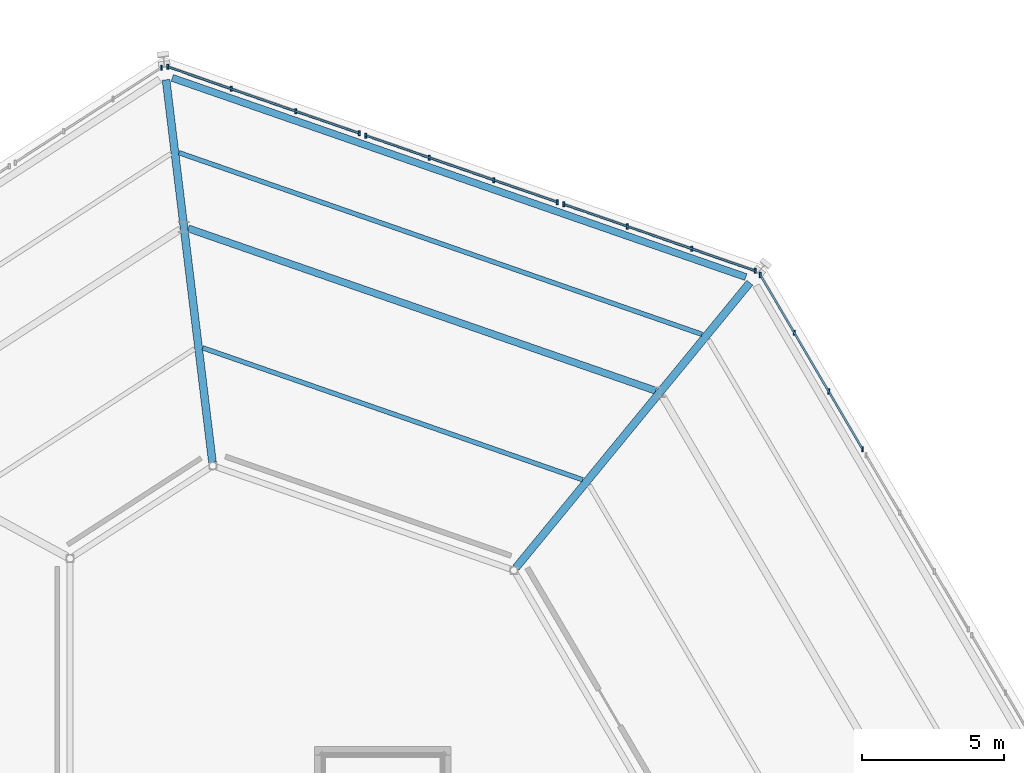
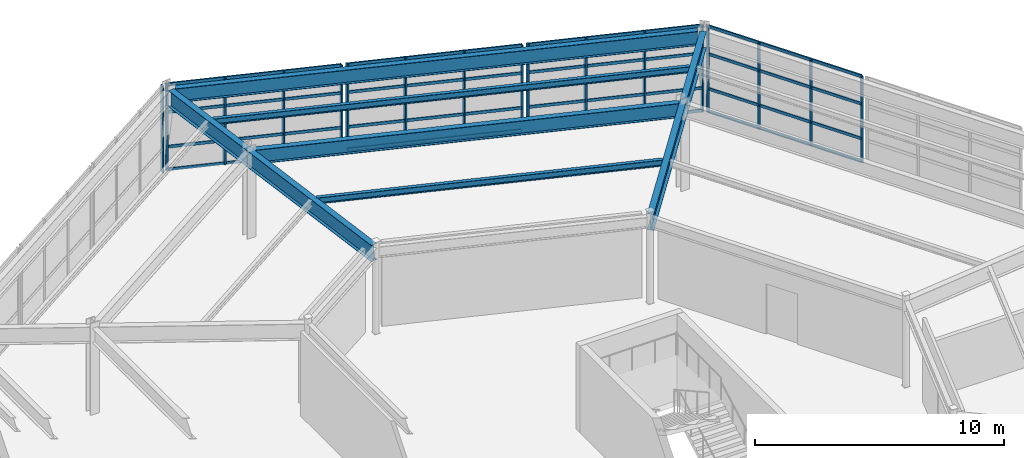
# One storey, part 48 of 88: 33 members, 6 beams, 5 elements without a shape of their own.
"""IFC4 building model written with IfcOpenShell, lengths in metres."""

from ifc_helpers import new_model, si_unit, direction, frame, origin, origin_2d, place, context, subcontext, project, spatial, rectangle, i_section, extrude, material, material_profile, profile_set, type_object, element, aggregate, save


model = new_model("IFC4")

# Units and contexts
model_context = context("Model", 3, precision=1e-05, world=origin(), true_north=direction((0.0, 1.0)))
body_context = subcontext(model_context, "Body", "Model", "MODEL_VIEW")
ifc_project = project(units=[si_unit("LENGTHUNIT", "METRE"), si_unit("AREAUNIT", "SQUARE_METRE"), si_unit("VOLUMEUNIT", "CUBIC_METRE"), si_unit("PLANEANGLEUNIT", "RADIAN"), si_unit("MASSUNIT", "GRAM", prefix="KILO")], contexts=[model_context])

# Site, building, storey
site_placement = place(None, origin())
site = spatial("IfcSite", under=ifc_project, at=site_placement, CompositionType="ELEMENT")
building_placement = place(site_placement, origin())
building = spatial("IfcBuilding", under=site, at=building_placement, Name="Sarnbrook Museum", CompositionType="ELEMENT")
storey_placement = place(building_placement, frame((0.0, 0.0, 10.10009765625)))
storey = spatial("IfcBuildingStorey", under=building, at=storey_placement, Name="L02", CompositionType="ELEMENT", Elevation=10.10009765625)

# Beams
ifc_material_1 = material(Name="Structural Steel Grade 350L0 (AS/NZS 3678, fy = 340 MPa for 20 < t <= 40 mm)", Category="steel")
ifc_material_profile_1 = material_profile(ifc_material_1, i_section(OverallWidth=0.25, OverallDepth=0.699951171875, WebThickness=0.010009765625, FlangeThickness=0.01611328125, at=origin_2d()), Name="700WB130")
ifc_profile_set_1 = profile_set([ifc_material_profile_1], Name="Structural Steel Grade 350L0 (AS/NZS 3678, fy = 340 MPa for 20 < t <= 40 mm)")
beam_type_1 = type_object("IfcBeamType", Name="BM-WB700", PredefinedType="BEAM", material=ifc_profile_set_1)
beam_1_placement = place(storey_placement, frame((156.562744140625, 106.705810546875, 3.889892578125), z_axis=(-0.944673615019, 0.328011830712, 0.0), x_axis=(-0.328011830712, -0.944673615019, 0.0)))
element("IfcBeam", 1, at=beam_1_placement, inside=storey, type_object=beam_type_1, Name="Crystal Hall Perimeter Ring Girder 5 L02", PredefinedType="BEAM", context=body_context, shape_type="SweptSolid", body=[
    extrude(i_section(OverallWidth=0.25, OverallDepth=0.699951171875, WebThickness=0.010009765625, FlangeThickness=0.01611328125, at=origin_2d()), origin(), (0.0, 0.0, 1.0), 21.348876953125),
])
beam_2_placement = place(storey_placement, frame((153.392578125, 102.70947265625, 3.889892578125), z_axis=(-0.944672698081, 0.328014471479, 0.0), x_axis=(-0.328014471479, -0.944672698081, 0.0)))
element("IfcBeam", 2, at=beam_2_placement, inside=storey, type_object=beam_type_1, Name="Crystal Hall R1 Ring Girder 5 L02", PredefinedType="BEAM", context=body_context, shape_type="SweptSolid", body=[
    extrude(i_section(OverallWidth=0.25, OverallDepth=0.699951171875, WebThickness=0.010009765625, FlangeThickness=0.01611328125, at=origin_2d()), origin(), (0.0, 0.0, 1.0), 17.400146484375),
])
ifc_material_profile_2 = material_profile(ifc_material_1, i_section(OverallWidth=0.27490234375, OverallDepth=0.800048828125, WebThickness=0.010009765625, FlangeThickness=0.01611328125, at=origin_2d()), Name="800WB146")
ifc_profile_set_2 = profile_set([ifc_material_profile_2], Name="Structural Steel Grade 350L0 (AS/NZS 3678, fy = 340 MPa for 20 < t <= 40 mm)")
beam_type_2 = type_object("IfcBeamType", Name="CR-CANT", PredefinedType="BEAM", material=ifc_profile_set_2)
beam_3_placement = place(storey_placement, frame((148.481689453125, 96.48876953125, 3.83984375), z_axis=(0.634370589534, 0.773029077807, 0.0), x_axis=(-0.773029077807, 0.634370589534, 0.0)))
element("IfcBeam", 3, at=beam_3_placement, inside=storey, type_object=beam_type_2, Name="Crystal Hall Radial Cantilever Girder 5 L02", PredefinedType="BEAM", context=body_context, shape_type="SweptSolid", body=[
    extrude(i_section(OverallWidth=0.27490234375, OverallDepth=0.800048828125, WebThickness=0.010009765625, FlangeThickness=0.01611328125, at=origin_2d()), origin(), (0.0, 0.0, 1.0), 12.960693359375),
])
beam_4_placement = place(storey_placement, frame((137.80810546875, 100.189697265625, 3.83984375), z_axis=(-0.120372798782, 0.992728759185, 0.0), x_axis=(-0.992728759185, -0.120372798782, 0.0)))
element("IfcBeam", 4, at=beam_4_placement, inside=storey, type_object=beam_type_2, Name="Crystal Hall Radial Cantilever Girder 6 L02", PredefinedType="BEAM", context=body_context, shape_type="SweptSolid", body=[
    extrude(i_section(OverallWidth=0.27490234375, OverallDepth=0.800048828125, WebThickness=0.010009765625, FlangeThickness=0.01611328125, at=origin_2d()), origin(), (0.0, 0.0, 1.0), 13.550537109375),
])

# Curtain wall, members
ifc_material_2 = material(Name="Thermally Broken Anodised Aluminium 6063-T6", Category="aluminium")
curtain_wall_type = type_object("IfcCurtainWallType", Name="CurtainWall_CrystalFacet", PredefinedType="NOTDEFINED", material=ifc_material_2)
curtain_wall_1_placement = place(storey_placement, origin())
curtain_wall_1 = element("IfcCurtainWall", 5, at=curtain_wall_1_placement, inside=storey, type_object=curtain_wall_type, Name="Crystal Hall Facet Curtain Wall L02-F4.3", PredefinedType="NOTDEFINED")
ifc_material_profile_3 = material_profile(ifc_material_2, rectangle(XDim=0.06494140625, YDim=0.179931640625, at=origin_2d()), Name="ALU MULLION 65x180")
ifc_profile_set_3 = profile_set([ifc_material_profile_3], Name="Thermally Broken Anodised Aluminium 6063-T6")
member_type_1 = type_object("IfcMemberType", Name="CW_Mullion_180x75", PredefinedType="MULLION", material=ifc_profile_set_3)
member_1_placement = place(storey_placement, frame((160.665283203125, 100.6533203125, 0.0), z_axis=(0.0, 0.0, 1.0), x_axis=(1.0, 0.0, 0.0)))
member_1 = element("IfcMember", 6, at=member_1_placement, type_object=member_type_1, Name="Crystal Hall Facet Curtain Wall L02-F4.3 Mullion 1", PredefinedType="MULLION", context=body_context, shape_type="SweptSolid", body=[
    extrude(rectangle(XDim=0.06494140625, YDim=0.179931640625, at=origin_2d()), origin(), (0.0, 0.0, 1.0), 4.239990234375),
])
member_2_placement = place(storey_placement, frame((159.47412109375, 102.68359375, 0.0), z_axis=(0.0, 0.0, 1.0), x_axis=(1.0, 0.0, 0.0)))
member_2 = element("IfcMember", 7, at=member_2_placement, type_object=member_type_1, Name="Crystal Hall Facet Curtain Wall L02-F4.3 Mullion 2", PredefinedType="MULLION", context=body_context, shape_type="SweptSolid", body=[
    extrude(rectangle(XDim=0.06494140625, YDim=0.179931640625, at=origin_2d()), origin(), (0.0, 0.0, 1.0), 4.239990234375),
])
member_3_placement = place(storey_placement, frame((158.2626953125, 104.748291015625, 0.0), z_axis=(0.0, 0.0, 1.0), x_axis=(1.0, 0.0, 0.0)))
member_3 = element("IfcMember", 8, at=member_3_placement, type_object=member_type_1, Name="Crystal Hall Facet Curtain Wall L02-F4.3 Mullion 3", PredefinedType="MULLION", context=body_context, shape_type="SweptSolid", body=[
    extrude(rectangle(XDim=0.06494140625, YDim=0.179931640625, at=origin_2d()), origin(), (0.0, 0.0, 1.0), 4.239990234375),
])
member_4_placement = place(storey_placement, frame((157.071533203125, 106.778564453125, 0.0), z_axis=(0.0, 0.0, 1.0), x_axis=(1.0, 0.0, 0.0)))
member_4 = element("IfcMember", 9, at=member_4_placement, type_object=member_type_1, Name="Crystal Hall Facet Curtain Wall L02-F4.3 Mullion 4", PredefinedType="MULLION", context=body_context, shape_type="SweptSolid", body=[
    extrude(rectangle(XDim=0.06494140625, YDim=0.179931640625, at=origin_2d()), origin(), (0.0, 0.0, 1.0), 4.239990234375),
])

curtain_wall_2_placement = place(storey_placement, origin())
curtain_wall_2 = element("IfcCurtainWall", 10, at=curtain_wall_2_placement, inside=storey, type_object=curtain_wall_type, Name="Crystal Hall Facet Curtain Wall L02-F5.1", PredefinedType="NOTDEFINED")
member_5_placement = place(storey_placement, frame((156.8974609375, 106.92138671875, 0.0), z_axis=(0.0, 0.0, 1.0), x_axis=(1.0, 0.0, 0.0)))
member_5 = element("IfcMember", 11, at=member_5_placement, type_object=member_type_1, Name="Crystal Hall Facet Curtain Wall L02-F5.1 Mullion 1", PredefinedType="MULLION", context=body_context, shape_type="SweptSolid", body=[
    extrude(rectangle(XDim=0.06494140625, YDim=0.179931640625, at=origin_2d()), origin(), (0.0, 0.0, 1.0), 4.239990234375),
])
member_6_placement = place(storey_placement, frame((154.6640625, 107.69677734375, 0.0), z_axis=(0.0, 0.0, 1.0), x_axis=(1.0, 0.0, 0.0)))
member_6 = element("IfcMember", 12, at=member_6_placement, type_object=member_type_1, Name="Crystal Hall Facet Curtain Wall L02-F5.1 Mullion 2", PredefinedType="MULLION", context=body_context, shape_type="SweptSolid", body=[
    extrude(rectangle(XDim=0.06494140625, YDim=0.179931640625, at=origin_2d()), origin(), (0.0, 0.0, 1.0), 4.239990234375),
])
member_7_placement = place(storey_placement, frame((152.392822265625, 108.485595703125, 0.0), z_axis=(0.0, 0.0, 1.0), x_axis=(1.0, 0.0, 0.0)))
member_7 = element("IfcMember", 13, at=member_7_placement, type_object=member_type_1, Name="Crystal Hall Facet Curtain Wall L02-F5.1 Mullion 3", PredefinedType="MULLION", context=body_context, shape_type="SweptSolid", body=[
    extrude(rectangle(XDim=0.06494140625, YDim=0.179931640625, at=origin_2d()), origin(), (0.0, 0.0, 1.0), 4.239990234375),
])
member_8_placement = place(storey_placement, frame((150.159423828125, 109.260986328125, 0.0), z_axis=(0.0, 0.0, 1.0), x_axis=(1.0, 0.0, 0.0)))
member_8 = element("IfcMember", 14, at=member_8_placement, type_object=member_type_1, Name="Crystal Hall Facet Curtain Wall L02-F5.1 Mullion 4", PredefinedType="MULLION", context=body_context, shape_type="SweptSolid", body=[
    extrude(rectangle(XDim=0.06494140625, YDim=0.179931640625, at=origin_2d()), origin(), (0.0, 0.0, 1.0), 4.239990234375),
])

curtain_wall_3_placement = place(storey_placement, origin())
curtain_wall_3 = element("IfcCurtainWall", 15, at=curtain_wall_3_placement, inside=storey, type_object=curtain_wall_type, Name="Crystal Hall Facet Curtain Wall L02-F5.2", PredefinedType="NOTDEFINED")
member_9_placement = place(storey_placement, frame((149.932861328125, 109.339599609375, 0.0), z_axis=(0.0, 0.0, 1.0), x_axis=(1.0, 0.0, 0.0)))
member_9 = element("IfcMember", 16, at=member_9_placement, type_object=member_type_1, Name="Crystal Hall Facet Curtain Wall L02-F5.2 Mullion 1", PredefinedType="MULLION", context=body_context, shape_type="SweptSolid", body=[
    extrude(rectangle(XDim=0.06494140625, YDim=0.179931640625, at=origin_2d()), origin(), (0.0, 0.0, 1.0), 4.239990234375),
])
member_10_placement = place(storey_placement, frame((147.699462890625, 110.114990234375, 0.0), z_axis=(0.0, 0.0, 1.0), x_axis=(1.0, 0.0, 0.0)))
member_10 = element("IfcMember", 17, at=member_10_placement, type_object=member_type_1, Name="Crystal Hall Facet Curtain Wall L02-F5.2 Mullion 2", PredefinedType="MULLION", context=body_context, shape_type="SweptSolid", body=[
    extrude(rectangle(XDim=0.06494140625, YDim=0.179931640625, at=origin_2d()), origin(), (0.0, 0.0, 1.0), 4.239990234375),
])
member_11_placement = place(storey_placement, frame((145.42822265625, 110.90380859375, 0.0), z_axis=(0.0, 0.0, 1.0), x_axis=(1.0, 0.0, 0.0)))
member_11 = element("IfcMember", 18, at=member_11_placement, type_object=member_type_1, Name="Crystal Hall Facet Curtain Wall L02-F5.2 Mullion 3", PredefinedType="MULLION", context=body_context, shape_type="SweptSolid", body=[
    extrude(rectangle(XDim=0.06494140625, YDim=0.179931640625, at=origin_2d()), origin(), (0.0, 0.0, 1.0), 4.239990234375),
])
member_12_placement = place(storey_placement, frame((143.19482421875, 111.67919921875, 0.0), z_axis=(0.0, 0.0, 1.0), x_axis=(1.0, 0.0, 0.0)))
member_12 = element("IfcMember", 19, at=member_12_placement, type_object=member_type_1, Name="Crystal Hall Facet Curtain Wall L02-F5.2 Mullion 4", PredefinedType="MULLION", context=body_context, shape_type="SweptSolid", body=[
    extrude(rectangle(XDim=0.06494140625, YDim=0.179931640625, at=origin_2d()), origin(), (0.0, 0.0, 1.0), 4.239990234375),
])

curtain_wall_4_placement = place(storey_placement, origin())
curtain_wall_4 = element("IfcCurtainWall", 20, at=curtain_wall_4_placement, inside=storey, type_object=curtain_wall_type, Name="Crystal Hall Facet Curtain Wall L02-F5.3", PredefinedType="NOTDEFINED")
member_13_placement = place(storey_placement, frame((142.968017578125, 111.758056640625, 0.0), z_axis=(0.0, 0.0, 1.0), x_axis=(1.0, 0.0, 0.0)))
member_13 = element("IfcMember", 21, at=member_13_placement, type_object=member_type_1, Name="Crystal Hall Facet Curtain Wall L02-F5.3 Mullion 1", PredefinedType="MULLION", context=body_context, shape_type="SweptSolid", body=[
    extrude(rectangle(XDim=0.06494140625, YDim=0.179931640625, at=origin_2d()), origin(), (0.0, 0.0, 1.0), 4.239990234375),
])
member_14_placement = place(storey_placement, frame((140.734619140625, 112.533447265625, 0.0), z_axis=(0.0, 0.0, 1.0), x_axis=(1.0, 0.0, 0.0)))
member_14 = element("IfcMember", 22, at=member_14_placement, type_object=member_type_1, Name="Crystal Hall Facet Curtain Wall L02-F5.3 Mullion 2", PredefinedType="MULLION", context=body_context, shape_type="SweptSolid", body=[
    extrude(rectangle(XDim=0.06494140625, YDim=0.179931640625, at=origin_2d()), origin(), (0.0, 0.0, 1.0), 4.239990234375),
])
member_15_placement = place(storey_placement, frame((138.46337890625, 113.322021484375, 0.0), z_axis=(0.0, 0.0, 1.0), x_axis=(1.0, 0.0, 0.0)))
member_15 = element("IfcMember", 23, at=member_15_placement, type_object=member_type_1, Name="Crystal Hall Facet Curtain Wall L02-F5.3 Mullion 3", PredefinedType="MULLION", context=body_context, shape_type="SweptSolid", body=[
    extrude(rectangle(XDim=0.06494140625, YDim=0.179931640625, at=origin_2d()), origin(), (0.0, 0.0, 1.0), 4.239990234375),
])
member_16_placement = place(storey_placement, frame((136.230224609375, 114.097412109375, 0.0), z_axis=(0.0, 0.0, 1.0), x_axis=(1.0, 0.0, 0.0)))
member_16 = element("IfcMember", 24, at=member_16_placement, type_object=member_type_1, Name="Crystal Hall Facet Curtain Wall L02-F5.3 Mullion 4", PredefinedType="MULLION", context=body_context, shape_type="SweptSolid", body=[
    extrude(rectangle(XDim=0.06494140625, YDim=0.179931640625, at=origin_2d()), origin(), (0.0, 0.0, 1.0), 4.239990234375),
])

# Curtain wall, member
curtain_wall_5_placement = place(storey_placement, origin())
curtain_wall_5 = element("IfcCurtainWall", 25, at=curtain_wall_5_placement, inside=storey, type_object=curtain_wall_type, Name="Crystal Hall Facet Curtain Wall L02-F6.1", PredefinedType="NOTDEFINED")
member_17_placement = place(storey_placement, frame((136.01611328125, 114.071533203125, 0.0), z_axis=(0.0, 0.0, 1.0), x_axis=(1.0, 0.0, 0.0)))
member_17 = element("IfcMember", 26, at=member_17_placement, type_object=member_type_1, Name="Crystal Hall Facet Curtain Wall L02-F6.1 Mullion 1", PredefinedType="MULLION", context=body_context, shape_type="SweptSolid", body=[
    extrude(rectangle(XDim=0.06494140625, YDim=0.179931640625, at=origin_2d()), origin(), (0.0, 0.0, 1.0), 4.239990234375),
])
aggregate(curtain_wall_5, [member_17])

# Member
ifc_material_profile_4 = material_profile(ifc_material_2, rectangle(XDim=0.06494140625, YDim=0.139892578125, at=origin_2d()), Name="ALU TRANSOM 65x140")
ifc_profile_set_4 = profile_set([ifc_material_profile_4], Name="Thermally Broken Anodised Aluminium 6063-T6")
member_type_2 = type_object("IfcMemberType", Name="CW_Transom_150x65", PredefinedType="USERDEFINED", material=ifc_profile_set_4)
member_18_placement = place(storey_placement, frame((160.660400390625, 100.661865234375, 0.039794921875), z_axis=(-0.506045045467, 0.862507050382, 0.0), x_axis=(-0.862507050382, -0.506045045467, 0.0)))
member_18 = element("IfcMember", 27, at=member_18_placement, type_object=member_type_2, Name="Crystal Hall Facet Curtain Wall L02-F4.3 Transom 1", ObjectType="TRANSOM", PredefinedType="USERDEFINED", context=body_context, shape_type="SweptSolid", body=[
    extrude(rectangle(XDim=0.06494140625, YDim=0.139892578125, at=origin_2d()), origin(), (0.0, 0.0, 1.0), 7.081787109375),
])

member_19_placement = place(storey_placement, frame((160.660400390625, 100.661865234375, 1.14990234375), z_axis=(-0.506045045467, 0.862507050382, 0.0), x_axis=(-0.862507050382, -0.506045045467, 0.0)))
member_19 = element("IfcMember", 28, at=member_19_placement, type_object=member_type_2, Name="Crystal Hall Facet Curtain Wall L02-F4.3 Transom 2", ObjectType="TRANSOM", PredefinedType="USERDEFINED", context=body_context, shape_type="SweptSolid", body=[
    extrude(rectangle(XDim=0.06494140625, YDim=0.139892578125, at=origin_2d()), origin(), (0.0, 0.0, 1.0), 7.081787109375),
])

member_20_placement = place(storey_placement, frame((160.660400390625, 100.661865234375, 2.849853515625), z_axis=(-0.506045045467, 0.862507050382, 0.0), x_axis=(-0.862507050382, -0.506045045467, 0.0)))
member_20 = element("IfcMember", 29, at=member_20_placement, type_object=member_type_2, Name="Crystal Hall Facet Curtain Wall L02-F4.3 Transom 3", ObjectType="TRANSOM", PredefinedType="USERDEFINED", context=body_context, shape_type="SweptSolid", body=[
    extrude(rectangle(XDim=0.06494140625, YDim=0.139892578125, at=origin_2d()), origin(), (0.0, 0.0, 1.0), 7.081787109375),
])

member_21_placement = place(storey_placement, frame((160.660400390625, 100.661865234375, 4.199951171875), z_axis=(-0.506045045467, 0.862507050382, 0.0), x_axis=(-0.862507050382, -0.506045045467, 0.0)))
member_21 = element("IfcMember", 30, at=member_21_placement, type_object=member_type_2, Name="Crystal Hall Facet Curtain Wall L02-F4.3 Transom 4", ObjectType="TRANSOM", PredefinedType="USERDEFINED", context=body_context, shape_type="SweptSolid", body=[
    extrude(rectangle(XDim=0.06494140625, YDim=0.139892578125, at=origin_2d()), origin(), (0.0, 0.0, 1.0), 7.081787109375),
])

aggregate(curtain_wall_1, [member_1, member_2, member_3, member_4, member_18, member_19, member_20, member_21])

member_22_placement = place(storey_placement, frame((156.887939453125, 106.924560546875, 0.039794921875), z_axis=(-0.944661993446, 0.328045298912, 0.0), x_axis=(-0.328045298912, -0.944661993446, 0.0)))
member_22 = element("IfcMember", 31, at=member_22_placement, type_object=member_type_2, Name="Crystal Hall Facet Curtain Wall L02-F5.1 Transom 1", ObjectType="TRANSOM", PredefinedType="USERDEFINED", context=body_context, shape_type="SweptSolid", body=[
    extrude(rectangle(XDim=0.06494140625, YDim=0.139892578125, at=origin_2d()), origin(), (0.0, 0.0, 1.0), 7.112548828125),
])

member_23_placement = place(storey_placement, frame((156.887939453125, 106.924560546875, 1.14990234375), z_axis=(-0.944661993446, 0.328045298912, 0.0), x_axis=(-0.328045298912, -0.944661993446, 0.0)))
member_23 = element("IfcMember", 32, at=member_23_placement, type_object=member_type_2, Name="Crystal Hall Facet Curtain Wall L02-F5.1 Transom 2", ObjectType="TRANSOM", PredefinedType="USERDEFINED", context=body_context, shape_type="SweptSolid", body=[
    extrude(rectangle(XDim=0.06494140625, YDim=0.139892578125, at=origin_2d()), origin(), (0.0, 0.0, 1.0), 7.112548828125),
])

member_24_placement = place(storey_placement, frame((156.887939453125, 106.924560546875, 2.849853515625), z_axis=(-0.944661993446, 0.328045298912, 0.0), x_axis=(-0.328045298912, -0.944661993446, 0.0)))
member_24 = element("IfcMember", 33, at=member_24_placement, type_object=member_type_2, Name="Crystal Hall Facet Curtain Wall L02-F5.1 Transom 3", ObjectType="TRANSOM", PredefinedType="USERDEFINED", context=body_context, shape_type="SweptSolid", body=[
    extrude(rectangle(XDim=0.06494140625, YDim=0.139892578125, at=origin_2d()), origin(), (0.0, 0.0, 1.0), 7.112548828125),
])

member_25_placement = place(storey_placement, frame((156.887939453125, 106.924560546875, 4.199951171875), z_axis=(-0.944661993446, 0.328045298912, 0.0), x_axis=(-0.328045298912, -0.944661993446, 0.0)))
member_25 = element("IfcMember", 34, at=member_25_placement, type_object=member_type_2, Name="Crystal Hall Facet Curtain Wall L02-F5.1 Transom 4", ObjectType="TRANSOM", PredefinedType="USERDEFINED", context=body_context, shape_type="SweptSolid", body=[
    extrude(rectangle(XDim=0.06494140625, YDim=0.139892578125, at=origin_2d()), origin(), (0.0, 0.0, 1.0), 7.112548828125),
])

aggregate(curtain_wall_2, [member_5, member_6, member_7, member_8, member_22, member_23, member_24, member_25])

member_26_placement = place(storey_placement, frame((149.92333984375, 109.343017578125, 0.039794921875), z_axis=(-0.944672630151, 0.328014667117, 0.0), x_axis=(-0.328014667117, -0.944672630151, 0.0)))
member_26 = element("IfcMember", 35, at=member_26_placement, type_object=member_type_2, Name="Crystal Hall Facet Curtain Wall L02-F5.2 Transom 1", ObjectType="TRANSOM", PredefinedType="USERDEFINED", context=body_context, shape_type="SweptSolid", body=[
    extrude(rectangle(XDim=0.06494140625, YDim=0.139892578125, at=origin_2d()), origin(), (0.0, 0.0, 1.0), 7.112548828125),
])

member_27_placement = place(storey_placement, frame((149.92333984375, 109.343017578125, 1.14990234375), z_axis=(-0.944672630151, 0.328014667117, 0.0), x_axis=(-0.328014667117, -0.944672630151, 0.0)))
member_27 = element("IfcMember", 36, at=member_27_placement, type_object=member_type_2, Name="Crystal Hall Facet Curtain Wall L02-F5.2 Transom 2", ObjectType="TRANSOM", PredefinedType="USERDEFINED", context=body_context, shape_type="SweptSolid", body=[
    extrude(rectangle(XDim=0.06494140625, YDim=0.139892578125, at=origin_2d()), origin(), (0.0, 0.0, 1.0), 7.112548828125),
])

member_28_placement = place(storey_placement, frame((149.92333984375, 109.343017578125, 2.849853515625), z_axis=(-0.944672630151, 0.328014667117, 0.0), x_axis=(-0.328014667117, -0.944672630151, 0.0)))
member_28 = element("IfcMember", 37, at=member_28_placement, type_object=member_type_2, Name="Crystal Hall Facet Curtain Wall L02-F5.2 Transom 3", ObjectType="TRANSOM", PredefinedType="USERDEFINED", context=body_context, shape_type="SweptSolid", body=[
    extrude(rectangle(XDim=0.06494140625, YDim=0.139892578125, at=origin_2d()), origin(), (0.0, 0.0, 1.0), 7.112548828125),
])

member_29_placement = place(storey_placement, frame((149.92333984375, 109.343017578125, 4.199951171875), z_axis=(-0.944672630151, 0.328014667117, 0.0), x_axis=(-0.328014667117, -0.944672630151, 0.0)))
member_29 = element("IfcMember", 38, at=member_29_placement, type_object=member_type_2, Name="Crystal Hall Facet Curtain Wall L02-F5.2 Transom 4", ObjectType="TRANSOM", PredefinedType="USERDEFINED", context=body_context, shape_type="SweptSolid", body=[
    extrude(rectangle(XDim=0.06494140625, YDim=0.139892578125, at=origin_2d()), origin(), (0.0, 0.0, 1.0), 7.112548828125),
])

aggregate(curtain_wall_3, [member_9, member_10, member_11, member_12, member_26, member_27, member_28, member_29])

member_30_placement = place(storey_placement, frame((142.958740234375, 111.76123046875, 0.039794921875), z_axis=(-0.944676323178, 0.328004031113, 0.0), x_axis=(-0.328004031113, -0.944676323178, 0.0)))
member_30 = element("IfcMember", 39, at=member_30_placement, type_object=member_type_2, Name="Crystal Hall Facet Curtain Wall L02-F5.3 Transom 1", ObjectType="TRANSOM", PredefinedType="USERDEFINED", context=body_context, shape_type="SweptSolid", body=[
    extrude(rectangle(XDim=0.06494140625, YDim=0.139892578125, at=origin_2d()), origin(), (0.0, 0.0, 1.0), 7.11279296875),
])

member_31_placement = place(storey_placement, frame((142.958740234375, 111.76123046875, 1.14990234375), z_axis=(-0.944676323178, 0.328004031113, 0.0), x_axis=(-0.328004031113, -0.944676323178, 0.0)))
member_31 = element("IfcMember", 40, at=member_31_placement, type_object=member_type_2, Name="Crystal Hall Facet Curtain Wall L02-F5.3 Transom 2", ObjectType="TRANSOM", PredefinedType="USERDEFINED", context=body_context, shape_type="SweptSolid", body=[
    extrude(rectangle(XDim=0.06494140625, YDim=0.139892578125, at=origin_2d()), origin(), (0.0, 0.0, 1.0), 7.11279296875),
])

member_32_placement = place(storey_placement, frame((142.958740234375, 111.76123046875, 2.849853515625), z_axis=(-0.944676323178, 0.328004031113, 0.0), x_axis=(-0.328004031113, -0.944676323178, 0.0)))
member_32 = element("IfcMember", 41, at=member_32_placement, type_object=member_type_2, Name="Crystal Hall Facet Curtain Wall L02-F5.3 Transom 3", ObjectType="TRANSOM", PredefinedType="USERDEFINED", context=body_context, shape_type="SweptSolid", body=[
    extrude(rectangle(XDim=0.06494140625, YDim=0.139892578125, at=origin_2d()), origin(), (0.0, 0.0, 1.0), 7.11279296875),
])

member_33_placement = place(storey_placement, frame((142.958740234375, 111.76123046875, 4.199951171875), z_axis=(-0.944676323178, 0.328004031113, 0.0), x_axis=(-0.328004031113, -0.944676323178, 0.0)))
member_33 = element("IfcMember", 42, at=member_33_placement, type_object=member_type_2, Name="Crystal Hall Facet Curtain Wall L02-F5.3 Transom 4", ObjectType="TRANSOM", PredefinedType="USERDEFINED", context=body_context, shape_type="SweptSolid", body=[
    extrude(rectangle(XDim=0.06494140625, YDim=0.139892578125, at=origin_2d()), origin(), (0.0, 0.0, 1.0), 7.11279296875),
])

aggregate(curtain_wall_4, [member_13, member_14, member_15, member_16, member_30, member_31, member_32, member_33])

# Beams
ifc_material_3 = material(Name="Structural Steel Grade 300PLUS (AS/NZS 3679.1, fy = 280 MPa for 17 < t <= 40 mm, 300 MPa for t <= 17 mm)", Category="steel")
ifc_material_profile_5 = material_profile(ifc_material_3, i_section(OverallWidth=0.1650390625, OverallDepth=0.303955078125, WebThickness=0.006103515625, FlangeThickness=0.01025390625, FilletRadius=0.011474609375, at=origin_2d()), Name="310UB40.4")
ifc_profile_set_5 = profile_set([ifc_material_profile_5], Name="Structural Steel Grade 300PLUS (AS/NZS 3679.1, fy = 280 MPa for 17 < t <= 40 mm, 300 MPa for t <= 17 mm)")
beam_type_3 = type_object("IfcBeamType", Name="JS-UB310", PredefinedType="JOIST", material=ifc_profile_set_5)
beam_5_placement = place(storey_placement, frame((155.020263671875, 104.69287109375, 4.087890625), z_axis=(-0.944675175668, 0.32800733601, 0.0), x_axis=(-0.32800733601, -0.944675175668, 0.0)))
element("IfcBeam", 43, at=beam_5_placement, inside=storey, type_object=beam_type_3, Name="Crystal Hall Tangential Joist MO-5 L02", PredefinedType="JOIST", context=body_context, shape_type="SweptSolid", body=[
    extrude(i_section(OverallWidth=0.1650390625, OverallDepth=0.303955078125, WebThickness=0.006103515625, FlangeThickness=0.01025390625, FilletRadius=0.011474609375, at=origin_2d()), origin(), (0.0, 0.0, 1.0), 19.464599609375),
])
beam_6_placement = place(storey_placement, frame((150.823486328125, 99.5791015625, 4.087890625), z_axis=(-0.944677156242, 0.328001631818, 0.0), x_axis=(-0.328001631818, -0.944677156242, 0.0)))
element("IfcBeam", 44, at=beam_6_placement, inside=storey, type_object=beam_type_3, Name="Crystal Hall Tangential Joist MI-5 L02", PredefinedType="JOIST", context=body_context, shape_type="SweptSolid", body=[
    extrude(i_section(OverallWidth=0.1650390625, OverallDepth=0.303955078125, WebThickness=0.006103515625, FlangeThickness=0.01025390625, FilletRadius=0.011474609375, at=origin_2d()), origin(), (0.0, 0.0, 1.0), 14.141357421875),
])

save(model, "model.ifc")
